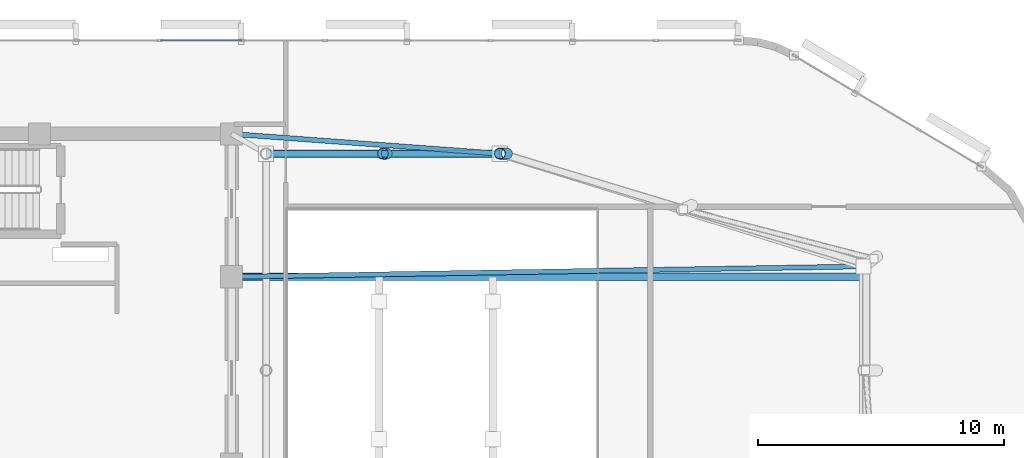
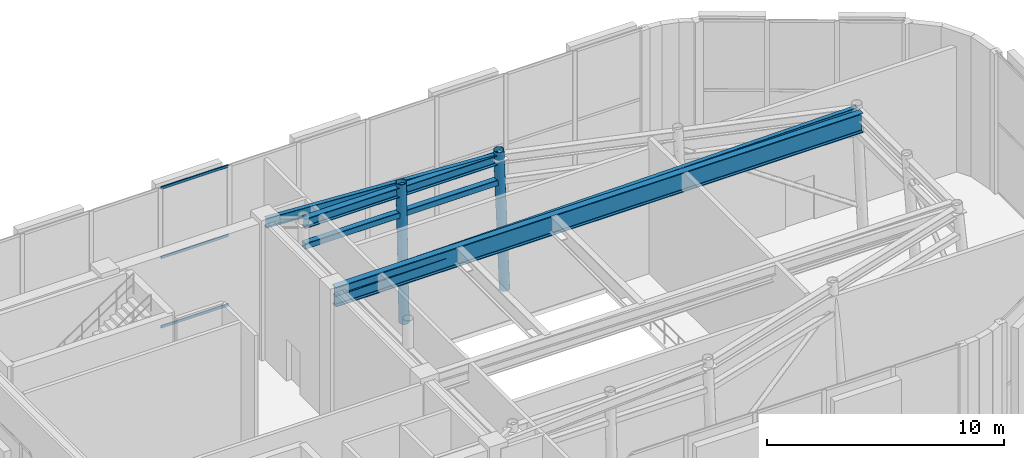
# One storey, part 9 of 20: 6 members, 4 beams, 1 element without a shape of its own.
"""IFC4 building model written with IfcOpenShell, lengths in metres."""

from ifc_helpers import new_model, si_unit, direction, frame, origin, origin_2d, place, context, subcontext, project, spatial, hollow_rectangle, hollow_circle, i_section, extrude, material, layer, layer_set, material_profile, profile_set, type_object, element, aggregate, save


model = new_model("IFC4")

# Units and contexts
model_context = context("Model", 3, precision=1e-05, world=origin(), true_north=direction((0.0, 1.0)))
body_context = subcontext(model_context, "Body", "Model", "MODEL_VIEW")
ifc_project = project(units=[si_unit("LENGTHUNIT", "METRE"), si_unit("AREAUNIT", "SQUARE_METRE"), si_unit("VOLUMEUNIT", "CUBIC_METRE"), si_unit("PLANEANGLEUNIT", "RADIAN"), si_unit("MASSUNIT", "GRAM", prefix="KILO")], contexts=[model_context])

# Site, building, storey
site_placement = place(None, origin())
site = spatial("IfcSite", under=ifc_project, at=site_placement, CompositionType="ELEMENT")
building_placement = place(site_placement, origin())
building = spatial("IfcBuilding", under=site, at=building_placement, Name="An Khanh Terracotta Commons", CompositionType="ELEMENT")
storey_placement = place(building_placement, frame((0.0, 0.0, 308.0)))
storey = spatial("IfcBuildingStorey", under=building, at=storey_placement, Name="L79 Crown Damper Gallery", CompositionType="ELEMENT", Elevation=308.0)

# Beams
ifc_material_1 = material(Name="Steel S355J2", Category="steel")
ifc_material_profile_1 = material_profile(ifc_material_1, i_section(OverallWidth=0.300048828125, OverallDepth=0.5, WebThickness=0.014404296875, FlangeThickness=0.028076171875, FilletRadius=0.027099609375, at=origin_2d()), Name="HEB500")
ifc_profile_set_1 = profile_set([ifc_material_profile_1], Name="Steel S355J2")
beam_type_1 = type_object("IfcBeamType", Name="BM-HEB500", PredefinedType="BEAM", material=ifc_profile_set_1)
beam_1_placement = place(storey_placement, frame((48.090087890625, 32.800048828125, 6.699951171875), z_axis=(-1.0, 0.0, 0.0), x_axis=(0.0, -1.0, 0.0)))
element("IfcBeam", 1, at=beam_1_placement, inside=storey, type_object=beam_type_1, Name="L79 Crown Damper Gallery CROWN FRAME Ring Beam 5", PredefinedType="BEAM", context=body_context, shape_type="SweptSolid", body=[
    extrude(i_section(OverallWidth=0.300048828125, OverallDepth=0.5, WebThickness=0.014404296875, FlangeThickness=0.028076171875, FilletRadius=0.027099609375, at=origin_2d()), origin(), (0.0, 0.0, 1.0), 9.489990234375),
])
ifc_material_2 = material(Name="Steel S460ML", Category="steel")
ifc_material_profile_2 = material_profile(ifc_material_2, i_section(OverallWidth=0.302001953125, OverallDepth=1.008056640625, WebThickness=0.02099609375, FlangeThickness=0.0400390625, FilletRadius=0.030029296875, at=origin_2d()), Name="HEM1000")
ifc_profile_set_2 = profile_set([ifc_material_profile_2], Name="Steel S460ML")
beam_type_2 = type_object("IfcBeamType", Name="BM-HEM1000", PredefinedType="BEAM", material=ifc_profile_set_2)
beam_2_placement = place(storey_placement, frame((37.199951171875, 27.800048828125, 6.446044921875), z_axis=(1.0, 0.0, 0.0), x_axis=(0.0, 1.0, 0.0)))
element("IfcBeam", 2, at=beam_2_placement, inside=storey, type_object=beam_type_2, Name="Pendulum TMD Primary Suspension Girder North", PredefinedType="BEAM", context=body_context, shape_type="SweptSolid", body=[
    extrude(i_section(OverallWidth=0.302001953125, OverallDepth=1.008056640625, WebThickness=0.02099609375, FlangeThickness=0.0400390625, FilletRadius=0.030029296875, at=origin_2d()), origin(), (0.0, 0.0, 1.0), 25.650146484375),
])
ifc_material_profile_3 = material_profile(ifc_material_1, i_section(OverallWidth=0.199951171875, OverallDepth=0.5, WebThickness=0.01025390625, FlangeThickness=0.01611328125, FilletRadius=0.02099609375, at=origin_2d()), Name="IPE500")
ifc_profile_set_3 = profile_set([ifc_material_profile_3], Name="Steel S355J2")
beam_type_3 = type_object("IfcBeamType", Name="BM-IPE500", PredefinedType="BEAM", material=ifc_profile_set_3)
beam_3_placement = place(storey_placement, frame((37.199951171875, 27.800048828125, 6.699951171875), z_axis=(0.999866019987, 0.016368936299, 0.0), x_axis=(-0.016368936299, 0.999866019987, 0.0)))
element("IfcBeam", 3, at=beam_3_placement, inside=storey, type_object=beam_type_3, Name="L79 Crown Damper Gallery Crown Radial Tie Beam 4", PredefinedType="BEAM", context=body_context, shape_type="SweptSolid", body=[
    extrude(i_section(OverallWidth=0.199951171875, OverallDepth=0.5, WebThickness=0.01025390625, FlangeThickness=0.01611328125, FilletRadius=0.02099609375, at=origin_2d()), origin(), (0.0, 0.0, 1.0), 25.653564453125),
])
beam_4_placement = place(storey_placement, frame((37.199951171875, 33.60009765625, 6.699951171875), z_axis=(0.997312288255, -0.073267999117, 0.0), x_axis=(0.073267999117, 0.997312288255, 0.0)))
element("IfcBeam", 4, at=beam_4_placement, inside=storey, type_object=beam_type_3, Name="L79 Crown Damper Gallery Crown Radial Tie Beam 5", PredefinedType="BEAM", context=body_context, shape_type="SweptSolid", body=[
    extrude(i_section(OverallWidth=0.199951171875, OverallDepth=0.5, WebThickness=0.01025390625, FlangeThickness=0.01611328125, FilletRadius=0.02099609375, at=origin_2d()), origin(), (0.0, 0.0, 1.0), 10.91943359375),
])

# Members
ifc_material_profile_4 = material_profile(ifc_material_2, hollow_circle(Radius=0.228515625, WallThickness=0.02001953125, at=origin_2d()), Name="CHS457x20")
ifc_profile_set_4 = profile_set([ifc_material_profile_4], Name="Steel S460ML")
member_type_1 = type_object("IfcMemberType", Name="CROWN FRAME RIB CHS457", PredefinedType="STRUT", material=ifc_profile_set_4)
member_1_placement = place(storey_placement, frame((48.3701171875, 32.800048828125, -0.1201171875), z_axis=(-0.038647931763, 0.0, 0.999252889598), x_axis=(0.0, -1.0, 0.0)))
element("IfcMember", 5, at=member_1_placement, inside=storey, type_object=member_type_1, Name="L79 Crown Damper Gallery CROWN FRAME Corner Raking Rib 5", PredefinedType="STRUT", context=body_context, shape_type="SweptSolid", body=[
    extrude(hollow_circle(Radius=0.228515625, WallThickness=0.02001953125, at=origin_2d()), origin(), (0.0, 0.0, 1.0), 7.24560546875),
])
member_2_placement = place(storey_placement, frame((43.485107421875, 32.800048828125, -0.1201171875), z_axis=(-0.019351649324, 0.0, 0.999812739301), x_axis=(0.0, -1.0, 0.0)))
element("IfcMember", 6, at=member_2_placement, inside=storey, type_object=member_type_1, Name="L79 Crown Damper Gallery CROWN FRAME Facet Strut 5", PredefinedType="STRUT", context=body_context, shape_type="SweptSolid", body=[
    extrude(hollow_circle(Radius=0.228515625, WallThickness=0.02001953125, at=origin_2d()), origin(), (0.0, 0.0, 1.0), 7.24169921875),
])
ifc_material_profile_5 = material_profile(ifc_material_2, hollow_rectangle(XDim=0.300048828125, YDim=0.300048828125, WallThickness=0.01611328125, InnerFilletRadius=0.01611328125, OuterFilletRadius=0.031982421875, at=origin_2d()), Name="SHS300x300x16")
ifc_profile_set_5 = profile_set([ifc_material_profile_5], Name="Steel S460ML")
member_type_2 = type_object("IfcMemberType", Name="CROWN FRAME RING SHS300", PredefinedType="CHORD", material=ifc_profile_set_5)
member_3_placement = place(storey_placement, frame((48.152099609375, 32.800048828125, 5.527099609375), z_axis=(-1.0, 0.0, 0.0), x_axis=(0.0, -1.0, 0.0)))
element("IfcMember", 7, at=member_3_placement, inside=storey, type_object=member_type_2, Name="L79 Crown Damper Gallery CROWN FRAME Sill Ring Chord 5", PredefinedType="CHORD", context=body_context, shape_type="SweptSolid", body=[
    extrude(hollow_rectangle(XDim=0.300048828125, YDim=0.300048828125, WallThickness=0.01611328125, InnerFilletRadius=0.01611328125, OuterFilletRadius=0.031982421875, at=origin_2d()), origin(), (0.0, 0.0, 1.0), 9.552001953125),
])

# Curtain wall, members
ifc_material_3 = material(Name="Anodised Aluminium 6063-T6", Category="aluminium")
ifc_layer = layer(ifc_material_3, 0.25, Name="Anodised Aluminium 6063-T6")
ifc_layer_set = layer_set([ifc_layer], Name="Anodised Aluminium 6063-T6")
curtain_wall_type = type_object("IfcCurtainWallType", Name="CW-SYS-05", PredefinedType="USERDEFINED", material=ifc_layer_set)
curtain_wall_placement = place(storey_placement, origin())
curtain_wall = element("IfcCurtainWall", 8, at=curtain_wall_placement, inside=storey, type_object=curtain_wall_type, Name="L79 Crown Damper Gallery CW-05 Unitised Curtain Wall CW-L79-20", ObjectType="UNITISED CURTAIN WALL", PredefinedType="USERDEFINED")
ifc_material_profile_6 = material_profile(ifc_material_3, hollow_rectangle(XDim=0.06005859375, YDim=0.135009765625, WallThickness=0.003662109375, InnerFilletRadius=0.003662109375, OuterFilletRadius=0.007080078125, at=origin_2d()), Name="RHS135x60x3.6")
ifc_profile_set_6 = profile_set([ifc_material_profile_6], Name="Anodised Aluminium 6063-T6")
member_type_3 = type_object("IfcMemberType", Name="CWT-RHS135x60x3.6", PredefinedType="USERDEFINED", material=ifc_profile_set_6)
member_4_placement = place(storey_placement, frame((37.59765625, 37.39990234375, 0.030029296875), z_axis=(-1.0, 0.0, 0.0), x_axis=(0.0, -1.0, 0.0)))
member_4 = element("IfcMember", 9, at=member_4_placement, type_object=member_type_3, Name="CW-05 transom 7.1", ObjectType="TRANSOM", PredefinedType="USERDEFINED", context=body_context, shape_type="SweptSolid", body=[
    extrude(hollow_rectangle(XDim=0.06005859375, YDim=0.135009765625, WallThickness=0.003662109375, InnerFilletRadius=0.003662109375, OuterFilletRadius=0.007080078125, at=origin_2d()), origin(), (0.0, 0.0, 1.0), 3.279541015625),
])
member_5_placement = place(storey_placement, frame((37.59765625, 37.39990234375, 3.60009765625), z_axis=(-1.0, 0.0, 0.0), x_axis=(0.0, -1.0, 0.0)))
member_5 = element("IfcMember", 10, at=member_5_placement, type_object=member_type_3, Name="CW-05 transom 7.2", ObjectType="TRANSOM", PredefinedType="USERDEFINED", context=body_context, shape_type="SweptSolid", body=[
    extrude(hollow_rectangle(XDim=0.06005859375, YDim=0.135009765625, WallThickness=0.003662109375, InnerFilletRadius=0.003662109375, OuterFilletRadius=0.007080078125, at=origin_2d()), origin(), (0.0, 0.0, 1.0), 3.279541015625),
])
member_6_placement = place(storey_placement, frame((37.59765625, 37.39990234375, 7.169921875), z_axis=(-1.0, 0.0, 0.0), x_axis=(0.0, -1.0, 0.0)))
member_6 = element("IfcMember", 11, at=member_6_placement, type_object=member_type_3, Name="CW-05 transom 7.3", ObjectType="TRANSOM", PredefinedType="USERDEFINED", context=body_context, shape_type="SweptSolid", body=[
    extrude(hollow_rectangle(XDim=0.06005859375, YDim=0.135009765625, WallThickness=0.003662109375, InnerFilletRadius=0.003662109375, OuterFilletRadius=0.007080078125, at=origin_2d()), origin(), (0.0, 0.0, 1.0), 3.279541015625),
])
aggregate(curtain_wall, [member_4, member_5, member_6])

save(model, "model.ifc")
